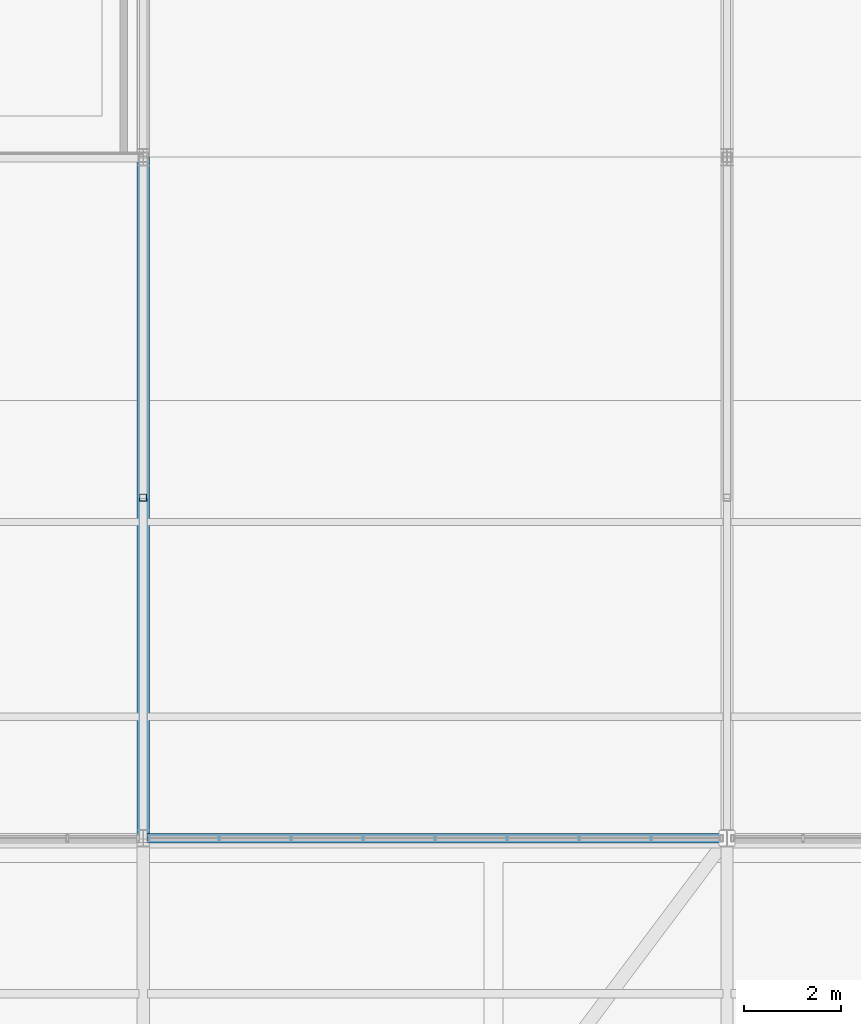
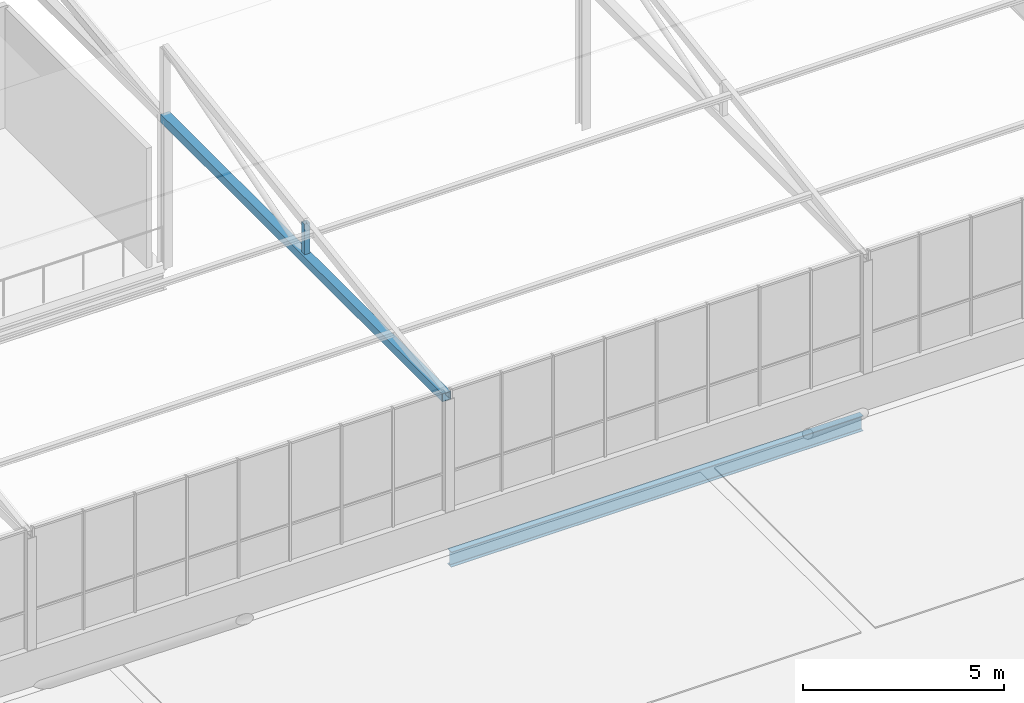
# One storey, part 55 of 104: 2 members, 1 beam.
"""IFC4 building model written with IfcOpenShell, lengths in metres."""

from ifc_helpers import new_model, si_unit, direction, frame, origin, origin_2d, place, context, subcontext, project, spatial, hollow_rectangle, i_section, extrude, material, material_profile, profile_set, type_object, element, save


model = new_model("IFC4")

# Units and contexts
model_context = context("Model", 3, precision=1e-05, world=origin(), true_north=direction((0.0, 1.0)))
body_context = subcontext(model_context, "Body", "Model", "MODEL_VIEW")
ifc_project = project(units=[si_unit("LENGTHUNIT", "METRE"), si_unit("AREAUNIT", "SQUARE_METRE"), si_unit("VOLUMEUNIT", "CUBIC_METRE"), si_unit("PLANEANGLEUNIT", "RADIAN"), si_unit("MASSUNIT", "GRAM", prefix="KILO")], contexts=[model_context])

# Site, building, storey
site_placement = place(None, origin())
site = spatial("IfcSite", under=ifc_project, at=site_placement, CompositionType="ELEMENT")
building_placement = place(site_placement, origin())
building = spatial("IfcBuilding", under=site, at=building_placement, Name="Solvenia Promenade Tram Depot", CompositionType="ELEMENT")
storey_placement = place(building_placement, frame((0.0, 0.0, 9.0)))
storey = spatial("IfcBuildingStorey", under=building, at=storey_placement, Name="L02", CompositionType="ELEMENT", Elevation=9.0)

# Members
ifc_material_1 = material(Name="Structural steel ASTM A500 Gr. C", Category="steel")
ifc_material_profile_1 = material_profile(ifc_material_1, hollow_rectangle(XDim=0.25, YDim=0.25, WallThickness=0.010009765625, at=origin_2d()), Name="HSS250x250x10", Category="steel")
ifc_profile_set_1 = profile_set([ifc_material_profile_1], Name="Structural steel ASTM A500 Gr. C")
member_type_1 = type_object("IfcMemberType", Name="Chord-HSS250x250x10", PredefinedType="CHORD", material=ifc_profile_set_1)
member_1_placement = place(storey_placement, frame((162.0, 24.0, 4.47998046875), z_axis=(0.0, 1.0, 0.0), x_axis=(-1.0, 0.0, 0.0)))
element("IfcMember", 1, at=member_1_placement, inside=storey, type_object=member_type_1, Name="Crane Hall Truss Bottom Tie 08", PredefinedType="CHORD", context=body_context, shape_type="SweptSolid", body=[
    extrude(hollow_rectangle(XDim=0.25, YDim=0.25, WallThickness=0.010009765625, at=origin_2d()), origin(), (0.0, 0.0, 1.0), 14.0),
])
ifc_material_profile_2 = material_profile(ifc_material_1, hollow_rectangle(XDim=0.14990234375, YDim=0.14990234375, WallThickness=0.008056640625, at=origin_2d()), Name="HSS150x150x8", Category="steel")
ifc_profile_set_2 = profile_set([ifc_material_profile_2], Name="Structural steel ASTM A500 Gr. C")
member_type_2 = type_object("IfcMemberType", Name="Post-HSS150x150x8", PredefinedType="POST", material=ifc_profile_set_2)
member_2_placement = place(storey_placement, frame((162.0, 31.0, 4.47998046875), z_axis=(0.0, 0.0, 1.0), x_axis=(1.0, 0.0, 0.0)))
element("IfcMember", 2, at=member_2_placement, inside=storey, type_object=member_type_2, Name="Crane Hall Mid Web Post 08", PredefinedType="POST", context=body_context, shape_type="SweptSolid", body=[
    extrude(hollow_rectangle(XDim=0.14990234375, YDim=0.14990234375, WallThickness=0.008056640625, at=origin_2d()), origin(), (0.0, 0.0, 1.0), 1.050048828125),
])

# Beam
ifc_material_2 = material(Name="Structural steel ASTM A992 Gr. 50", Category="steel")
ifc_material_profile_3 = material_profile(ifc_material_2, i_section(OverallWidth=0.19091796875, OverallDepth=0.4599609375, WebThickness=0.010009765625, FlangeThickness=0.01611328125, FilletRadius=0.012939453125, at=origin_2d()), Name="W460x82", Category="steel")
ifc_profile_set_3 = profile_set([ifc_material_profile_3], Name="Structural steel ASTM A992 Gr. 50")
beam_type = type_object("IfcBeamType", Name="Spandrel-W460x82", PredefinedType="SPANDREL", material=ifc_profile_set_3)
beam_placement = place(storey_placement, frame((162.0849609375, 24.0, -0.449951171875), z_axis=(1.0, 0.0, 0.0), x_axis=(0.0, 1.0, 0.0)))
element("IfcBeam", 3, at=beam_placement, inside=storey, type_object=beam_type, Name="Perimeter Spandrel BM-L02-0795", PredefinedType="SPANDREL", context=body_context, shape_type="SweptSolid", body=[
    extrude(i_section(OverallWidth=0.19091796875, OverallDepth=0.4599609375, WebThickness=0.010009765625, FlangeThickness=0.01611328125, FilletRadius=0.012939453125, at=origin_2d()), origin(), (0.0, 0.0, 1.0), 11.830078125),
])

save(model, "model.ifc")
